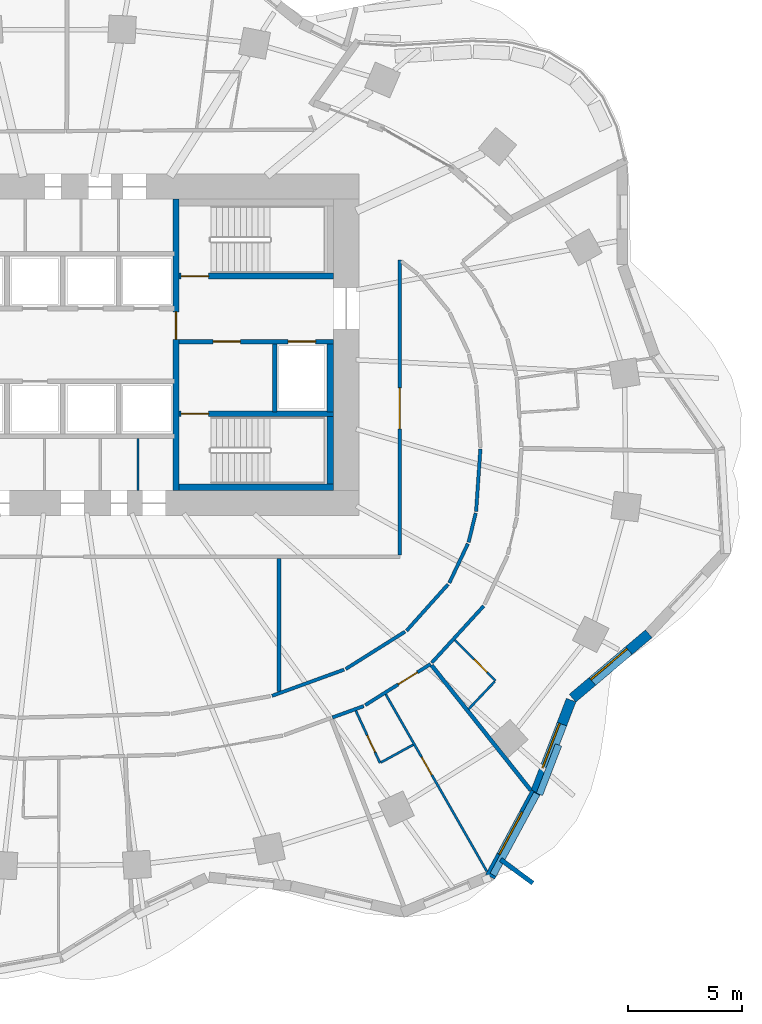
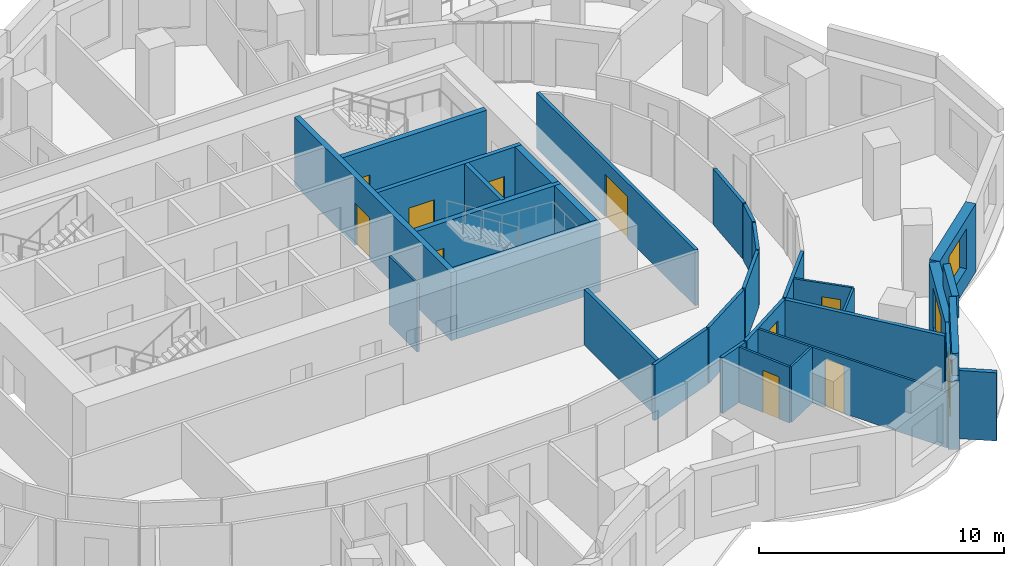
# One storey, part 8 of 14: 32 walls, 10 doors, 3 windows, 13 openings.
"""IFC4 building model written with IfcOpenShell, lengths in metres."""

from ifc_helpers import new_model, si_unit, direction, frame, frame_2d, origin, place, context, subcontext, project, spatial, rectangle, extrude, material, layer, layer_set, type_object, element, fill, save


model = new_model("IFC4")

# Units and contexts
model_context = context("Model", 3, precision=1e-05, world=origin(), true_north=direction((0.0, 1.0)))
body_context = subcontext(model_context, "Body", "Model", "MODEL_VIEW")
ifc_project = project(units=[si_unit("LENGTHUNIT", "METRE"), si_unit("AREAUNIT", "SQUARE_METRE"), si_unit("VOLUMEUNIT", "CUBIC_METRE"), si_unit("PLANEANGLEUNIT", "RADIAN"), si_unit("MASSUNIT", "GRAM", prefix="KILO")], contexts=[model_context])

# Site, building, storey
site_placement = place(None, origin())
site = spatial("IfcSite", under=ifc_project, at=site_placement, CompositionType="ELEMENT")
building_placement = place(site_placement, origin())
building = spatial("IfcBuilding", under=site, at=building_placement, Name="Rubra Terraces Tower", CompositionType="ELEMENT")
storey_placement = place(building_placement, frame((0.0, 0.0, 103.199951171875)))
storey = spatial("IfcBuildingStorey", under=building, at=storey_placement, Name="L24", CompositionType="ELEMENT", Elevation=103.199951171875)

# Walls
ifc_material_1 = material(Name="Twin plasterboard on staggered steel stud, acoustic mineral wool", Category="steel")
ifc_layer_1 = layer(ifc_material_1, 0.175048828125)
ifc_layer_set_1 = layer_set([ifc_layer_1], Name="Twin plasterboard on staggered steel stud, acoustic mineral wool")
wall_type_1 = type_object("IfcWallType", Name="ACOUSTIC PARTY WALL 175", PredefinedType="PARTITIONING", material=ifc_layer_set_1)
wall_1_placement = place(storey_placement, frame((20.552734375, -15.059326171875, 0.0), z_axis=(0.0, 0.0, 1.0), x_axis=(-0.621391021986, 0.783500604847, 0.0)))
element("IfcWall", 1, at=wall_1_placement, inside=storey, type_object=wall_type_1, Name="PARTITION", PredefinedType="PARTITIONING", context=body_context, shape_type="SweptSolid", body=[
    extrude(rectangle(XDim=7.00439453125, YDim=0.175048828125, at=frame_2d((3.502197265625, 0.0))), origin(), (0.0, 0.0, 1.0), 2.783935546875),
])
wall_2_placement = place(storey_placement, frame((9.5, -10.723388671875, 0.0), z_axis=(0.0, 0.0, 1.0), x_axis=(0.0, 1.0, 0.0)))
element("IfcWall", 2, at=wall_2_placement, inside=storey, type_object=wall_type_1, Name="PARTITION", PredefinedType="PARTITIONING", context=body_context, shape_type="SweptSolid", body=[
    extrude(rectangle(XDim=5.848388671875, YDim=0.175048828125, at=frame_2d((2.92431640625, 0.0))), origin(), (0.0, 0.0, 1.0), 2.783935546875),
])

# Wall, opening, window
ifc_material_2 = material(Name="Brick masonry red-brown", Category="masonry")
ifc_layer_2 = layer(ifc_material_2, 0.449951171875)
ifc_layer_set_2 = layer_set([ifc_layer_2], Name="Brick masonry red-brown")
wall_type_2 = type_object("IfcWallType", Name="Brick facade wall 450", PredefinedType="SOLIDWALL", material=ifc_layer_set_2)
wall_3_placement = place(storey_placement, frame((18.767333984375, -18.8544921875, 0.0), z_axis=(0.0, 0.0, 1.0), x_axis=(0.474475888716, 0.880268499395, 0.0)))
wall_3 = element("IfcWall", 3, at=wall_3_placement, inside=storey, type_object=wall_type_2, Name="Facade wall L24 bay 36", PredefinedType="SOLIDWALL", context=body_context, shape_type="SweptSolid", body=[
    extrude(rectangle(XDim=4.21923828125, YDim=0.449951171875, at=frame_2d((2.109619140625, 0.0))), origin(), (0.0, 0.0, 1.0), 3.400146484375),
])
opening_1_placement = place(wall_3_placement, frame((1.059814453125, 0.0, 0.89990234375)))
opening_1 = element("IfcOpeningElement", 4, at=opening_1_placement, cuts=wall_3, Name="Opening W1", PredefinedType="OPENING", context=body_context, shape_type="SweptSolid", body=[
    extrude(rectangle(XDim=2.10009765625, YDim=2.0, at=frame_2d((1.050048828125, 1.0))), frame((0.0, 0.23486328125, 0.0), z_axis=(0.0, -1.0, 0.0), x_axis=(1.0, 0.0, 0.0)), (0.0, 0.0, 1.0), 0.469970703125),
])
ifc_material_3 = material(Name="Clear glass in aluminium frame", Category="aluminium")
window_type = type_object("IfcWindowType", Name="Fixed deep-set window 2100 x 2000", PartitioningType="SINGLE_PANEL", PredefinedType="WINDOW", material=ifc_material_3)
window_1_placement = place(opening_1_placement, origin())
window_1 = element("IfcWindow", 5, at=window_1_placement, inside=storey, type_object=window_type, Name="Window L24 bay 36", OverallHeight=2.0, OverallWidth=2.10009765625, PartitioningType="SINGLE_PANEL", PredefinedType="WINDOW", context=body_context, shape_type="SweptSolid", body=[
    extrude(rectangle(XDim=2.10009765625, YDim=2.0, at=frame_2d((1.050048828125, 1.0))), frame((0.0, 0.135009765625, 0.0), z_axis=(0.0, -1.0, 0.0), x_axis=(1.0, 0.0, 0.0)), (0.0, 0.0, 1.0), 0.06005859375),
])
fill(opening_1, window_1)

wall_4_placement = place(storey_placement, frame((20.757080078125, -15.166015625, 0.0), z_axis=(0.0, 0.0, 1.0), x_axis=(0.360067043581, 0.932926430179, 0.0)))
wall_4 = element("IfcWall", 6, at=wall_4_placement, inside=storey, type_object=wall_type_2, Name="Facade wall L24 bay 37", PredefinedType="SOLIDWALL", context=body_context, shape_type="SweptSolid", body=[
    extrude(rectangle(XDim=4.35986328125, YDim=0.449951171875, at=frame_2d((2.179931640625, 0.0))), origin(), (0.0, 0.0, 1.0), 3.400146484375),
])
opening_2_placement = place(wall_4_placement, frame((1.1298828125, 0.0, 0.89990234375)))
opening_2 = element("IfcOpeningElement", 7, at=opening_2_placement, cuts=wall_4, Name="Opening W1", PredefinedType="OPENING", context=body_context, shape_type="SweptSolid", body=[
    extrude(rectangle(XDim=2.10009765625, YDim=2.0, at=frame_2d((1.050048828125, 1.0))), frame((0.0, 0.23486328125, 0.0), z_axis=(0.0, -1.0, 0.0), x_axis=(1.0, 0.0, 0.0)), (0.0, 0.0, 1.0), 0.469970703125),
])
window_2_placement = place(opening_2_placement, origin())
window_2 = element("IfcWindow", 8, at=window_2_placement, inside=storey, type_object=window_type, Name="Window L24 bay 37", OverallHeight=2.0, OverallWidth=2.10009765625, PartitioningType="SINGLE_PANEL", PredefinedType="WINDOW", context=body_context, shape_type="SweptSolid", body=[
    extrude(rectangle(XDim=2.10009765625, YDim=2.0, at=frame_2d((1.050048828125, 1.0))), frame((0.0, 0.135009765625, 0.0), z_axis=(0.0, -1.0, 0.0), x_axis=(1.0, 0.0, 0.0)), (0.0, 0.0, 1.0), 0.06005859375),
])
fill(opening_2, window_2)

wall_5_placement = place(storey_placement, frame((22.385986328125, -11.014404296875, 0.0), z_axis=(0.0, 0.0, 1.0), x_axis=(0.763569952162, 0.645725118108, 0.0)))
wall_5 = element("IfcWall", 9, at=wall_5_placement, inside=storey, type_object=wall_type_2, Name="Facade wall L24 bay 38", PredefinedType="SOLIDWALL", context=body_context, shape_type="SweptSolid", body=[
    extrude(rectangle(XDim=4.3857421875, YDim=0.449951171875, at=frame_2d((2.19287109375, 0.0))), origin(), (0.0, 0.0, 1.0), 3.400146484375),
])
opening_3_placement = place(wall_5_placement, frame((1.14306640625, 0.0, 0.89990234375)))
opening_3 = element("IfcOpeningElement", 10, at=opening_3_placement, cuts=wall_5, Name="Opening W1", PredefinedType="OPENING", context=body_context, shape_type="SweptSolid", body=[
    extrude(rectangle(XDim=2.10009765625, YDim=2.0, at=frame_2d((1.050048828125, 1.0))), frame((0.0, 0.23486328125, 0.0), z_axis=(0.0, -1.0, 0.0), x_axis=(1.0, 0.0, 0.0)), (0.0, 0.0, 1.0), 0.469970703125),
])
window_3_placement = place(opening_3_placement, origin())
window_3 = element("IfcWindow", 11, at=window_3_placement, inside=storey, type_object=window_type, Name="Window L24 bay 38", OverallHeight=2.0, OverallWidth=2.10009765625, PartitioningType="SINGLE_PANEL", PredefinedType="WINDOW", context=body_context, shape_type="SweptSolid", body=[
    extrude(rectangle(XDim=2.10009765625, YDim=2.0, at=frame_2d((1.050048828125, 1.0))), frame((0.0, 0.135009765625, 0.0), z_axis=(0.0, -1.0, 0.0), x_axis=(1.0, 0.0, 0.0)), (0.0, 0.0, 1.0), 0.06005859375),
])
fill(opening_3, window_3)

# Walls
ifc_layer_3 = layer(ifc_material_2, 0.300048828125)
ifc_layer_set_3 = layer_set([ifc_layer_3], Name="Brick masonry red-brown")
wall_type_3 = type_object("IfcWallType", Name="Brick parapet 300", PredefinedType="PARAPET", material=ifc_layer_set_3)
wall_6_placement = place(storey_placement, frame((18.896484375, -18.7734375, 3.60009765625), z_axis=(0.0, 0.0, 1.0), x_axis=(0.474444905835, 0.880285198857, 0.0)))
element("IfcWall", 12, at=wall_6_placement, inside=storey, type_object=wall_type_3, Name="Parapet L24 bay 36", PredefinedType="PARAPET", context=body_context, shape_type="SweptSolid", body=[
    extrude(rectangle(XDim=4.0498046875, YDim=0.300048828125, at=frame_2d((2.02490234375, 0.0))), origin(), (0.0, 0.0, 1.0), 1.099853515625),
])
wall_7_placement = place(storey_placement, frame((20.932861328125, -15.236572265625, 3.60009765625), z_axis=(0.0, 0.0, 1.0), x_axis=(0.360021038217, 0.932944184848, 0.0)))
element("IfcWall", 13, at=wall_7_placement, inside=storey, type_object=wall_type_3, Name="Parapet L24 bay 37", PredefinedType="PARAPET", context=body_context, shape_type="SweptSolid", body=[
    extrude(rectangle(XDim=2.3232421875, YDim=0.300048828125, at=frame_2d((1.16162109375, 0.0))), origin(), (0.0, 0.0, 1.0), 1.099853515625),
])
ifc_layer_4 = layer(ifc_material_2, 0.199951171875)
ifc_layer_set_4 = layer_set([ifc_layer_4], Name="Brick masonry red-brown")
wall_type_4 = type_object("IfcWallType", Name="Brick wind fin 200", PredefinedType="SOLIDWALL", material=ifc_layer_set_4)
wall_8_placement = place(storey_placement, frame((19.23095703125, -18.09912109375, 0.0), z_axis=(0.0, 0.0, 1.0), x_axis=(0.806085538754, -0.591799040394, 0.0)))
element("IfcWall", 14, at=wall_8_placement, inside=storey, type_object=wall_type_4, Name="Wind fin L24 17", PredefinedType="SOLIDWALL", context=body_context, shape_type="SweptSolid", body=[
    extrude(rectangle(XDim=1.75, YDim=0.199951171875, at=frame_2d((0.875, 0.0))), origin(), (0.0, 0.0, 1.0), 3.400146484375),
])
ifc_material_4 = material(Name="Plasterboard on steel stud, mineral wool infill", Category="steel")
ifc_layer_5 = layer(ifc_material_4, 0.14990234375)
ifc_layer_set_5 = layer_set([ifc_layer_5], Name="Plasterboard on steel stud, mineral wool infill")
wall_type_5 = type_object("IfcWallType", Name="CORRIDOR PARTITION 150", PredefinedType="PARTITIONING", material=ifc_layer_set_5)
wall_9_placement = place(storey_placement, frame((11.83935546875, -11.862060546875, 0.0), z_axis=(0.0, 0.0, 1.0), x_axis=(0.939613732968, 0.342236808099, 0.0)))
element("IfcWall", 15, at=wall_9_placement, inside=storey, type_object=wall_type_5, Name="PARTITION", PredefinedType="PARTITIONING", context=body_context, shape_type="SweptSolid", body=[
    extrude(rectangle(XDim=1.46875, YDim=0.14990234375, at=frame_2d((0.734375, 0.0))), origin(), (0.0, 0.0, 1.0), 2.783935546875),
])

# Wall, opening, door
wall_10_placement = place(storey_placement, frame((13.282958984375, -11.3193359375, 0.0), z_axis=(0.0, 0.0, 1.0), x_axis=(0.846324171878, 0.532668185736, 0.0)))
wall_10 = element("IfcWall", 16, at=wall_10_placement, inside=storey, type_object=wall_type_5, Name="PARTITION", PredefinedType="PARTITIONING", context=body_context, shape_type="SweptSolid", body=[
    extrude(rectangle(XDim=3.39208984375, YDim=0.14990234375, at=frame_2d((1.696044921875, 0.0))), origin(), (0.0, 0.0, 1.0), 2.783935546875),
])
opening_4_placement = place(wall_10_placement, frame((1.7060546875, 0.0, 0.0)))
opening_4 = element("IfcOpeningElement", 17, at=opening_4_placement, cuts=wall_10, Name="Opening 24-119", PredefinedType="OPENING", context=body_context, shape_type="SweptSolid", body=[
    extrude(rectangle(XDim=1.0, YDim=2.10009765625, at=frame_2d((0.5, 1.050048828125))), frame((0.0, 0.0849609375, 0.0), z_axis=(0.0, -1.0, 0.0), x_axis=(1.0, 0.0, 0.0)), (0.0, 0.0, 1.0), 0.169921875),
])
ifc_material_5 = material(Name="Painted timber door leaf", Category="wood")
door_type_1 = type_object("IfcDoorType", Name="ROOM DOOR 1000 X 2100", OperationType="SINGLE_SWING_LEFT", PredefinedType="DOOR", material=ifc_material_5)
door_1_placement = place(opening_4_placement, origin())
door_1 = element("IfcDoor", 18, at=door_1_placement, inside=storey, type_object=door_type_1, Name="DOOR 24-119", OperationType="SINGLE_SWING_RIGHT", OverallHeight=2.10009765625, OverallWidth=1.0, PredefinedType="DOOR", context=body_context, shape_type="SweptSolid", body=[
    extrude(rectangle(XDim=1.0, YDim=2.10009765625, at=frame_2d((0.5, 1.050048828125))), frame((0.0, 0.02490234375, 0.0), z_axis=(0.0, -1.0, 0.0), x_axis=(1.0, 0.0, 0.0)), (0.0, 0.0, 1.0), 0.050048828125),
])
fill(opening_4, door_1)

# Walls
wall_11_placement = place(storey_placement, frame((16.204345703125, -9.457275390625, 0.0), z_axis=(0.0, 0.0, 1.0), x_axis=(0.674966689319, 0.737848201401, 0.0)))
element("IfcWall", 19, at=wall_11_placement, inside=storey, type_object=wall_type_5, Name="PARTITION", PredefinedType="PARTITIONING", context=body_context, shape_type="SweptSolid", body=[
    extrude(rectangle(XDim=3.385498046875, YDim=0.14990234375, at=frame_2d((1.69287109375, 0.0))), origin(), (0.0, 0.0, 1.0), 2.783935546875),
])
wall_12_placement = place(storey_placement, frame((18.339599609375, -0.07470703125, 0.0), z_axis=(0.0, 0.0, 1.0), x_axis=(-0.068328193832, -0.997662897941, 0.0)))
element("IfcWall", 20, at=wall_12_placement, inside=storey, type_object=wall_type_5, Name="PARTITION", PredefinedType="PARTITIONING", context=body_context, shape_type="SweptSolid", body=[
    extrude(rectangle(XDim=2.740478515625, YDim=0.14990234375, at=frame_2d((1.3701171875, 0.0))), origin(), (0.0, 0.0, 1.0), 2.783935546875),
])
wall_13_placement = place(storey_placement, frame((18.134521484375, -2.8818359375, 0.0), z_axis=(0.0, 0.0, 1.0), x_axis=(-0.236653741324, -0.971594054489, 0.0)))
element("IfcWall", 21, at=wall_13_placement, inside=storey, type_object=wall_type_5, Name="PARTITION", PredefinedType="PARTITIONING", context=body_context, shape_type="SweptSolid", body=[
    extrude(rectangle(XDim=1.319580078125, YDim=0.14990234375, at=frame_2d((0.65966796875, 0.0))), origin(), (0.0, 0.0, 1.0), 2.783935546875),
])
wall_14_placement = place(storey_placement, frame((17.7900390625, -4.2314453125, 0.0), z_axis=(0.0, 0.0, 1.0), x_axis=(-0.428042272357, -0.90375871397, 0.0)))
element("IfcWall", 22, at=wall_14_placement, inside=storey, type_object=wall_type_5, Name="PARTITION", PredefinedType="PARTITIONING", context=body_context, shape_type="SweptSolid", body=[
    extrude(rectangle(XDim=1.905029296875, YDim=0.14990234375, at=frame_2d((0.95263671875, 0.0))), origin(), (0.0, 0.0, 1.0), 2.783935546875),
])
wall_15_placement = place(storey_placement, frame((16.924560546875, -6.009033203125, 0.0), z_axis=(0.0, 0.0, 1.0), x_axis=(-0.666893859891, -0.745152722359, 0.0)))
element("IfcWall", 23, at=wall_15_placement, inside=storey, type_object=wall_type_5, Name="PARTITION", PredefinedType="PARTITIONING", context=body_context, shape_type="SweptSolid", body=[
    extrude(rectangle(XDim=2.739013671875, YDim=0.14990234375, at=frame_2d((1.36962890625, 0.0))), origin(), (0.0, 0.0, 1.0), 2.783935546875),
])
wall_16_placement = place(storey_placement, frame((15.034423828125, -8.090087890625, 0.0), z_axis=(0.0, 0.0, 1.0), x_axis=(-0.846322679414, -0.532670557014, 0.0)))
element("IfcWall", 24, at=wall_16_placement, inside=storey, type_object=wall_type_5, Name="PARTITION", PredefinedType="PARTITIONING", context=body_context, shape_type="SweptSolid", body=[
    extrude(rectangle(XDim=3.08544921875, YDim=0.14990234375, at=frame_2d((1.542724609375, 0.0))), origin(), (0.0, 0.0, 1.0), 2.783935546875),
])
wall_17_placement = place(storey_placement, frame((12.3525390625, -9.759521484375, 0.0), z_axis=(0.0, 0.0, 1.0), x_axis=(-0.939632450309, -0.342185415127, 0.0)))
element("IfcWall", 25, at=wall_17_placement, inside=storey, type_object=wall_type_5, Name="PARTITION", PredefinedType="PARTITIONING", context=body_context, shape_type="SweptSolid", body=[
    extrude(rectangle(XDim=3.36767578125, YDim=0.14990234375, at=frame_2d((1.683837890625, 0.0))), origin(), (0.0, 0.0, 1.0), 2.783935546875),
])

# Wall, opening, door
wall_18_placement = place(storey_placement, frame((14.800048828125, -4.72509765625, 0.0), z_axis=(0.0, 0.0, 1.0), x_axis=(0.0, 1.0, 0.0)))
wall_18 = element("IfcWall", 26, at=wall_18_placement, inside=storey, type_object=wall_type_5, Name="PARTITION", PredefinedType="PARTITIONING", context=body_context, shape_type="SweptSolid", body=[
    extrude(rectangle(XDim=12.947998046875, YDim=0.14990234375, at=frame_2d((6.47412109375, 0.0))), origin(), (0.0, 0.0, 1.0), 2.783935546875),
])
opening_5_placement = place(wall_18_placement, frame((5.535888671875, 0.0, 0.0)))
opening_5 = element("IfcOpeningElement", 27, at=opening_5_placement, cuts=wall_18, Name="Opening 24-132", PredefinedType="OPENING", context=body_context, shape_type="SweptSolid", body=[
    extrude(rectangle(XDim=1.800048828125, YDim=2.10009765625, at=frame_2d((0.89990234375, 1.050048828125))), frame((0.0, 0.0849609375, 0.0), z_axis=(0.0, -1.0, 0.0), x_axis=(1.0, 0.0, 0.0)), (0.0, 0.0, 1.0), 0.169921875),
])
ifc_material_6 = material(Name="Painted timber door leaf, double", Category="wood")
door_type_2 = type_object("IfcDoorType", Name="ROOM DOUBLE DOOR 1800 X 2100", OperationType="DOUBLE_DOOR_SINGLE_SWING", PredefinedType="DOOR", material=ifc_material_6)
door_2_placement = place(opening_5_placement, origin())
door_2 = element("IfcDoor", 28, at=door_2_placement, inside=storey, type_object=door_type_2, Name="DOOR 24-132", OperationType="DOUBLE_DOOR_SINGLE_SWING", OverallHeight=2.10009765625, OverallWidth=1.800048828125, PredefinedType="DOOR", context=body_context, shape_type="SweptSolid", body=[
    extrude(rectangle(XDim=1.800048828125, YDim=2.10009765625, at=frame_2d((0.89990234375, 1.050048828125))), frame((0.0, 0.02490234375, 0.0), z_axis=(0.0, -1.0, 0.0), x_axis=(1.0, 0.0, 0.0)), (0.0, 0.0, 1.0), 0.050048828125),
])
fill(opening_5, door_2)

# Walls
ifc_material_7 = material(Name="Concrete C40", Category="concrete")
ifc_layer_6 = layer(ifc_material_7, 0.300048828125)
ifc_layer_set_6 = layer_set([ifc_layer_6], Name="Concrete C40")
wall_type_6 = type_object("IfcWallType", Name="Core lining wall 300 concrete", PredefinedType="SOLIDWALL", material=ifc_layer_set_6)
wall_19_placement = place(storey_placement, frame((11.75, 4.550048828125, 0.0), z_axis=(0.0, 0.0, 1.0), x_axis=(0.0, -1.0, 0.0)))
element("IfcWall", 29, at=wall_19_placement, inside=storey, type_object=wall_type_6, Name="CORE LINING WALL L24", PredefinedType="SOLIDWALL", context=body_context, shape_type="SweptSolid", body=[
    extrude(rectangle(XDim=3.0, YDim=0.300048828125, at=frame_2d((1.5, 0.0))), origin(), (0.0, 0.0, 1.0), 3.400146484375),
])
wall_20_placement = place(storey_placement, frame((11.75, 1.35009765625, 0.0), z_axis=(0.0, 0.0, 1.0), x_axis=(0.0, -1.0, 0.0)))
element("IfcWall", 30, at=wall_20_placement, inside=storey, type_object=wall_type_6, Name="CORE LINING WALL L24", PredefinedType="SOLIDWALL", context=body_context, shape_type="SweptSolid", body=[
    extrude(rectangle(XDim=2.9501953125, YDim=0.300048828125, at=frame_2d((1.47509765625, 0.0))), origin(), (0.0, 0.0, 1.0), 3.400146484375),
])
wall_21_placement = place(storey_placement, frame((11.89990234375, -1.75, 0.0), z_axis=(0.0, 0.0, 1.0), x_axis=(-1.0, 0.0, 0.0)))
element("IfcWall", 31, at=wall_21_placement, inside=storey, type_object=wall_type_6, Name="CORE LINING WALL L24", PredefinedType="SOLIDWALL", context=body_context, shape_type="SweptSolid", body=[
    extrude(rectangle(XDim=6.7998046875, YDim=0.300048828125, at=frame_2d((3.39990234375, 0.0))), origin(), (0.0, 0.0, 1.0), 3.400146484375),
])

# Wall, openings, doors
ifc_material_8 = material(Name="Concrete C30", Category="concrete")
ifc_layer_7 = layer(ifc_material_8, 0.199951171875)
ifc_layer_set_7 = layer_set([ifc_layer_7], Name="Concrete C30")
wall_type_7 = type_object("IfcWallType", Name="Core wall 200 concrete", PredefinedType="SOLIDWALL", material=ifc_layer_set_7)
wall_22_placement = place(storey_placement, frame((11.89990234375, 4.64990234375, 0.0), z_axis=(0.0, 0.0, 1.0), x_axis=(-1.0, 0.0, 0.0)))
wall_22 = element("IfcWall", 32, at=wall_22_placement, inside=storey, type_object=wall_type_7, Name="STAIR WALL L24", PredefinedType="SOLIDWALL", context=body_context, shape_type="SweptSolid", body=[
    extrude(rectangle(XDim=6.7998046875, YDim=0.199951171875, at=frame_2d((3.39990234375, 0.0))), origin(), (0.0, 0.0, 1.0), 3.400146484375),
])
opening_6_placement = place(wall_22_placement, frame((4.10009765625, 0.0, 0.0)))
opening_6 = element("IfcOpeningElement", 33, at=opening_6_placement, cuts=wall_22, Name="Opening L24.C06", PredefinedType="OPENING", context=body_context, shape_type="SweptSolid", body=[
    extrude(rectangle(XDim=1.199951171875, YDim=2.10009765625, at=frame_2d((0.60009765625, 1.050048828125))), frame((0.0, 0.10986328125, 0.0), z_axis=(0.0, -1.0, 0.0), x_axis=(1.0, 0.0, 0.0)), (0.0, 0.0, 1.0), 0.219970703125),
])
opening_7_placement = place(wall_22_placement, frame((0.800048828125, 0.0, 0.0)))
opening_7 = element("IfcOpeningElement", 34, at=opening_7_placement, cuts=wall_22, Name="Opening L24.C12", PredefinedType="OPENING", context=body_context, shape_type="SweptSolid", body=[
    extrude(rectangle(XDim=1.199951171875, YDim=2.10009765625, at=frame_2d((0.60009765625, 1.050048828125))), frame((0.0, 0.10986328125, 0.0), z_axis=(0.0, -1.0, 0.0), x_axis=(1.0, 0.0, 0.0)), (0.0, 0.0, 1.0), 0.219970703125),
])
ifc_material_9 = material(Name="Painted steel", Category="steel")
door_type_3 = type_object("IfcDoorType", Name="Fire door 1200x2100 single", OperationType="NOTDEFINED", PredefinedType="DOOR", material=ifc_material_9)
door_3_placement = place(opening_6_placement, origin())
door_3 = element("IfcDoor", 35, at=door_3_placement, inside=storey, type_object=door_type_3, Name="Stair vestibule door S4", OperationType="SINGLE_SWING_RIGHT", OverallHeight=2.10009765625, OverallWidth=1.199951171875, PredefinedType="DOOR", context=body_context, shape_type="SweptSolid", body=[
    extrude(rectangle(XDim=1.199951171875, YDim=2.10009765625, at=frame_2d((0.60009765625, 1.050048828125))), frame((0.0, 0.02490234375, 0.0), z_axis=(0.0, -1.0, 0.0), x_axis=(1.0, 0.0, 0.0)), (0.0, 0.0, 1.0), 0.050048828125),
])
fill(opening_6, door_3)
ifc_material_10 = material(Name="Stainless steel", Category="steel")
door_type_4 = type_object("IfcDoorType", Name="Lift landing door 1200x2100", OperationType="NOTDEFINED", PredefinedType="DOOR", material=ifc_material_10)
door_4_placement = place(opening_7_placement, origin())
door_4 = element("IfcDoor", 36, at=door_4_placement, inside=storey, type_object=door_type_4, Name="Landing door FF2", OperationType="SLIDING_TO_RIGHT", OverallHeight=2.10009765625, OverallWidth=1.199951171875, PredefinedType="DOOR", context=body_context, shape_type="SweptSolid", body=[
    extrude(rectangle(XDim=1.199951171875, YDim=2.10009765625, at=frame_2d((0.60009765625, 1.050048828125))), frame((0.0, 0.02490234375, 0.0), z_axis=(0.0, -1.0, 0.0), x_axis=(1.0, 0.0, 0.0)), (0.0, 0.0, 1.0), 0.050048828125),
])
fill(opening_7, door_4)

# Wall
wall_23_placement = place(storey_placement, frame((9.300048828125, 4.550048828125, 0.0), z_axis=(0.0, 0.0, 1.0), x_axis=(0.0, -1.0, 0.0)))
element("IfcWall", 37, at=wall_23_placement, inside=storey, type_object=wall_type_7, Name="STAIR WALL L24", PredefinedType="SOLIDWALL", context=body_context, shape_type="SweptSolid", body=[
    extrude(rectangle(XDim=3.0, YDim=0.199951171875, at=frame_2d((1.5, 0.0))), origin(), (0.0, 0.0, 1.0), 3.400146484375),
])

# Wall, opening, door
ifc_material_11 = material(Name="Plasterboard on steel stud", Category="steel")
ifc_layer_8 = layer(ifc_material_11, 0.10009765625)
ifc_layer_set_8 = layer_set([ifc_layer_8], Name="Plasterboard on steel stud")
wall_type_8 = type_object("IfcWallType", Name="ROOM PARTITION 100", PredefinedType="PARTITIONING", material=ifc_layer_set_8)
wall_24_placement = place(storey_placement, frame((18.622314453125, -18.615478515625, 0.0), z_axis=(0.0, 0.0, 1.0), x_axis=(-0.495924530613, 0.868365625723, 0.0)))
wall_24 = element("IfcWall", 38, at=wall_24_placement, inside=storey, type_object=wall_type_8, Name="PARTITION", PredefinedType="PARTITIONING", context=body_context, shape_type="SweptSolid", body=[
    extrude(rectangle(XDim=8.952392578125, YDim=0.10009765625, at=frame_2d((4.47607421875, 0.0))), origin(), (0.0, 0.0, 1.0), 2.783935546875),
])
opening_8_placement = place(wall_24_placement, frame((4.876953125, 0.0, 0.0)))
opening_8 = element("IfcOpeningElement", 39, at=opening_8_placement, cuts=wall_24, Name="Opening 24-118", PredefinedType="OPENING", context=body_context, shape_type="SweptSolid", body=[
    extrude(rectangle(XDim=0.89990234375, YDim=2.39990234375, at=frame_2d((0.449951171875, 1.199951171875))), frame((0.0, 0.06005859375, 0.0), z_axis=(0.0, -1.0, 0.0), x_axis=(1.0, 0.0, 0.0)), (0.0, 0.0, 1.0), 0.1201171875),
])
ifc_material_12 = material(Name="Veneered timber door leaf, fire-rated", Category="wood")
door_type_5 = type_object("IfcDoorType", Name="SUITE ENTRANCE DOOR 900 X 2400", OperationType="SINGLE_SWING_LEFT", PredefinedType="DOOR", material=ifc_material_12)
door_5_placement = place(opening_8_placement, origin())
door_5 = element("IfcDoor", 40, at=door_5_placement, inside=storey, type_object=door_type_5, Name="DOOR 24-118", OperationType="SINGLE_SWING_LEFT", OverallHeight=2.39990234375, OverallWidth=0.89990234375, PredefinedType="DOOR", context=body_context, shape_type="SweptSolid", body=[
    extrude(rectangle(XDim=0.89990234375, YDim=2.39990234375, at=frame_2d((0.449951171875, 1.199951171875))), frame((0.0, 0.02490234375, 0.0), z_axis=(0.0, -1.0, 0.0), x_axis=(1.0, 0.0, 0.0)), (0.0, 0.0, 1.0), 0.050048828125),
])
fill(opening_8, door_5)

wall_25_placement = place(storey_placement, frame((12.86962890625, -11.566162109375, 0.0), z_axis=(0.0, 0.0, 1.0), x_axis=(0.42076187936, -0.907171119953, 0.0)))
wall_25 = element("IfcWall", 41, at=wall_25_placement, inside=storey, type_object=wall_type_8, Name="PARTITION", PredefinedType="PARTITIONING", context=body_context, shape_type="SweptSolid", body=[
    extrude(rectangle(XDim=2.525146484375, YDim=0.10009765625, at=frame_2d((1.2626953125, 0.0))), origin(), (0.0, 0.0, 1.0), 2.783935546875),
])
opening_9_placement = place(wall_25_placement, frame((1.199951171875, 0.0, 0.0)))
opening_9 = element("IfcOpeningElement", 42, at=opening_9_placement, cuts=wall_25, Name="Opening 24-117", PredefinedType="OPENING", context=body_context, shape_type="SweptSolid", body=[
    extrude(rectangle(XDim=0.800048828125, YDim=2.10009765625, at=frame_2d((0.39990234375, 1.050048828125))), frame((0.0, 0.06005859375, 0.0), z_axis=(0.0, -1.0, 0.0), x_axis=(1.0, 0.0, 0.0)), (0.0, 0.0, 1.0), 0.1201171875),
])
door_type_6 = type_object("IfcDoorType", Name="BATHROOM DOOR 800 X 2100", OperationType="SINGLE_SWING_LEFT", PredefinedType="DOOR", material=ifc_material_5)
door_6_placement = place(opening_9_placement, origin())
door_6 = element("IfcDoor", 43, at=door_6_placement, inside=storey, type_object=door_type_6, Name="DOOR 24-117", OperationType="SINGLE_SWING_LEFT", OverallHeight=2.10009765625, OverallWidth=0.800048828125, PredefinedType="DOOR", context=body_context, shape_type="SweptSolid", body=[
    extrude(rectangle(XDim=0.800048828125, YDim=2.10009765625, at=frame_2d((0.39990234375, 1.050048828125))), frame((0.0, 0.02490234375, 0.0), z_axis=(0.0, -1.0, 0.0), x_axis=(1.0, 0.0, 0.0)), (0.0, 0.0, 1.0), 0.050048828125),
])
fill(opening_9, door_6)

# Wall
wall_26_placement = place(storey_placement, frame((13.97607421875, -13.8330078125, 0.0), z_axis=(0.0, 0.0, 1.0), x_axis=(0.877160016476, 0.480198193975, 0.0)))
element("IfcWall", 44, at=wall_26_placement, inside=storey, type_object=wall_type_8, Name="PARTITION", PredefinedType="PARTITIONING", context=body_context, shape_type="SweptSolid", body=[
    extrude(rectangle(XDim=1.61328125, YDim=0.10009765625, at=frame_2d((0.806640625, 0.0))), origin(), (0.0, 0.0, 1.0), 2.783935546875),
])

# Wall, opening, door
wall_27_placement = place(storey_placement, frame((17.21923828125, -8.458984375, 0.0), z_axis=(0.0, 0.0, 1.0), x_axis=(0.706526392877, -0.707686693508, 0.0)))
wall_27 = element("IfcWall", 45, at=wall_27_placement, inside=storey, type_object=wall_type_8, Name="PARTITION", PredefinedType="PARTITIONING", context=body_context, shape_type="SweptSolid", body=[
    extrude(rectangle(XDim=2.52490234375, YDim=0.10009765625, at=frame_2d((1.262451171875, 0.0))), origin(), (0.0, 0.0, 1.0), 2.783935546875),
])
opening_10_placement = place(wall_27_placement, frame((1.199951171875, 0.0, 0.0)))
opening_10 = element("IfcOpeningElement", 46, at=opening_10_placement, cuts=wall_27, Name="Opening 24-120", PredefinedType="OPENING", context=body_context, shape_type="SweptSolid", body=[
    extrude(rectangle(XDim=0.800048828125, YDim=2.10009765625, at=frame_2d((0.39990234375, 1.050048828125))), frame((0.0, 0.06005859375, 0.0), z_axis=(0.0, -1.0, 0.0), x_axis=(1.0, 0.0, 0.0)), (0.0, 0.0, 1.0), 0.1201171875),
])
door_7_placement = place(opening_10_placement, origin())
door_7 = element("IfcDoor", 47, at=door_7_placement, inside=storey, type_object=door_type_6, Name="DOOR 24-120", OperationType="SINGLE_SWING_LEFT", OverallHeight=2.10009765625, OverallWidth=0.800048828125, PredefinedType="DOOR", context=body_context, shape_type="SweptSolid", body=[
    extrude(rectangle(XDim=0.800048828125, YDim=2.10009765625, at=frame_2d((0.39990234375, 1.050048828125))), frame((0.0, 0.02490234375, 0.0), z_axis=(0.0, -1.0, 0.0), x_axis=(1.0, 0.0, 0.0)), (0.0, 0.0, 1.0), 0.050048828125),
])
fill(opening_10, door_7)

# Walls
wall_28_placement = place(storey_placement, frame((18.96875, -10.281982421875, 0.0), z_axis=(0.0, 0.0, 1.0), x_axis=(-0.687322860116, -0.726352039965, 0.0)))
element("IfcWall", 48, at=wall_28_placement, inside=storey, type_object=wall_type_8, Name="PARTITION", PredefinedType="PARTITIONING", context=body_context, shape_type="SweptSolid", body=[
    extrude(rectangle(XDim=1.670166015625, YDim=0.10009765625, at=frame_2d((0.8349609375, 0.0))), origin(), (0.0, 0.0, 1.0), 2.783935546875),
])
ifc_material_13 = material(Name="Blockwork", Category="masonry")
ifc_layer_9 = layer(ifc_material_13, 0.10009765625)
ifc_layer_set_9 = layer_set([ifc_layer_9], Name="Blockwork")
wall_type_9 = type_object("IfcWallType", Name="Service partition 100 blockwork", PredefinedType="PARTITIONING", material=ifc_layer_set_9)
wall_29_placement = place(storey_placement, frame((3.300048828125, -1.89990234375, 0.0), z_axis=(0.0, 0.0, 1.0), x_axis=(0.0, 1.0, 0.0)))
element("IfcWall", 49, at=wall_29_placement, inside=storey, type_object=wall_type_9, Name="SERVICE ROOM PARTITION L24", PredefinedType="PARTITIONING", context=body_context, shape_type="SweptSolid", body=[
    extrude(rectangle(XDim=2.2998046875, YDim=0.10009765625, at=frame_2d((1.14990234375, 0.0))), origin(), (0.0, 0.0, 1.0), 3.400146484375),
])

# Wall, opening, door
ifc_layer_10 = layer(ifc_material_7, 0.25)
ifc_layer_set_10 = layer_set([ifc_layer_10], Name="Concrete C40")
wall_type_10 = type_object("IfcWallType", Name="Stair enclosure wall 250 concrete", PredefinedType="SOLIDWALL", material=ifc_layer_set_10)
wall_30_placement = place(storey_placement, frame((11.89990234375, 7.52490234375, 0.0), z_axis=(0.0, 0.0, 1.0), x_axis=(-1.0, 0.0, 0.0)))
wall_30 = element("IfcWall", 50, at=wall_30_placement, inside=storey, type_object=wall_type_10, Name="STAIR WALL L24", PredefinedType="SOLIDWALL", context=body_context, shape_type="SweptSolid", body=[
    extrude(rectangle(XDim=6.7998046875, YDim=0.25, at=frame_2d((3.39990234375, 0.0))), origin(), (0.0, 0.0, 1.0), 3.400146484375),
])
opening_11_placement = place(wall_30_placement, frame((5.5, 0.0, 0.0)))
opening_11 = element("IfcOpeningElement", 51, at=opening_11_placement, cuts=wall_30, Name="Opening L24.C08", PredefinedType="OPENING", context=body_context, shape_type="SweptSolid", body=[
    extrude(rectangle(XDim=1.199951171875, YDim=2.10009765625, at=frame_2d((0.60009765625, 1.050048828125))), frame((0.0, 0.135009765625, 0.0), z_axis=(0.0, -1.0, 0.0), x_axis=(1.0, 0.0, 0.0)), (0.0, 0.0, 1.0), 0.27001953125),
])
door_8_placement = place(opening_11_placement, origin())
door_8 = element("IfcDoor", 52, at=door_8_placement, inside=storey, type_object=door_type_3, Name="Stair door S3", OperationType="SINGLE_SWING_RIGHT", OverallHeight=2.10009765625, OverallWidth=1.199951171875, PredefinedType="DOOR", context=body_context, shape_type="SweptSolid", body=[
    extrude(rectangle(XDim=1.199951171875, YDim=2.10009765625, at=frame_2d((0.60009765625, 1.050048828125))), frame((0.0, 0.02490234375, 0.0), z_axis=(0.0, -1.0, 0.0), x_axis=(1.0, 0.0, 0.0)), (0.0, 0.0, 1.0), 0.050048828125),
])
fill(opening_11, door_8)

wall_31_placement = place(storey_placement, frame((11.89990234375, 1.47509765625, 0.0), z_axis=(0.0, 0.0, 1.0), x_axis=(-1.0, 0.0, 0.0)))
wall_31 = element("IfcWall", 53, at=wall_31_placement, inside=storey, type_object=wall_type_10, Name="STAIR WALL L24", PredefinedType="SOLIDWALL", context=body_context, shape_type="SweptSolid", body=[
    extrude(rectangle(XDim=6.7998046875, YDim=0.25, at=frame_2d((3.39990234375, 0.0))), origin(), (0.0, 0.0, 1.0), 3.400146484375),
])
opening_12_placement = place(wall_31_placement, frame((5.5, 0.0, 0.0)))
opening_12 = element("IfcOpeningElement", 54, at=opening_12_placement, cuts=wall_31, Name="Opening L24.C10", PredefinedType="OPENING", context=body_context, shape_type="SweptSolid", body=[
    extrude(rectangle(XDim=1.199951171875, YDim=2.10009765625, at=frame_2d((0.60009765625, 1.050048828125))), frame((0.0, 0.135009765625, 0.0), z_axis=(0.0, -1.0, 0.0), x_axis=(1.0, 0.0, 0.0)), (0.0, 0.0, 1.0), 0.27001953125),
])
door_9_placement = place(opening_12_placement, origin())
door_9 = element("IfcDoor", 55, at=door_9_placement, inside=storey, type_object=door_type_3, Name="Stair door S4", OperationType="SINGLE_SWING_RIGHT", OverallHeight=2.10009765625, OverallWidth=1.199951171875, PredefinedType="DOOR", context=body_context, shape_type="SweptSolid", body=[
    extrude(rectangle(XDim=1.199951171875, YDim=2.10009765625, at=frame_2d((0.60009765625, 1.050048828125))), frame((0.0, 0.02490234375, 0.0), z_axis=(0.0, -1.0, 0.0), x_axis=(1.0, 0.0, 0.0)), (0.0, 0.0, 1.0), 0.050048828125),
])
fill(opening_12, door_9)

wall_32_placement = place(storey_placement, frame((4.97509765625, 10.89990234375, 0.0), z_axis=(0.0, 0.0, 1.0), x_axis=(0.0, -1.0, 0.0)))
wall_32 = element("IfcWall", 56, at=wall_32_placement, inside=storey, type_object=wall_type_10, Name="CORE LOBBY WALL L24", PredefinedType="SOLIDWALL", context=body_context, shape_type="SweptSolid", body=[
    extrude(rectangle(XDim=12.7998046875, YDim=0.25, at=frame_2d((6.39990234375, 0.0))), origin(), (0.0, 0.0, 1.0), 3.400146484375),
])
opening_13_placement = place(wall_32_placement, frame((4.949951171875, 0.0, 0.0)))
opening_13 = element("IfcOpeningElement", 57, at=opening_13_placement, cuts=wall_32, Name="Opening L24.C04", PredefinedType="OPENING", context=body_context, shape_type="SweptSolid", body=[
    extrude(rectangle(XDim=1.199951171875, YDim=2.10009765625, at=frame_2d((0.60009765625, 1.050048828125))), frame((0.0, 0.135009765625, 0.0), z_axis=(0.0, -1.0, 0.0), x_axis=(1.0, 0.0, 0.0)), (0.0, 0.0, 1.0), 0.27001953125),
])
door_10_placement = place(opening_13_placement, origin())
door_10 = element("IfcDoor", 58, at=door_10_placement, inside=storey, type_object=door_type_3, Name="Firefighting lobby door FF2", OperationType="SINGLE_SWING_RIGHT", OverallHeight=2.10009765625, OverallWidth=1.199951171875, PredefinedType="DOOR", context=body_context, shape_type="SweptSolid", body=[
    extrude(rectangle(XDim=1.199951171875, YDim=2.10009765625, at=frame_2d((0.60009765625, 1.050048828125))), frame((0.0, 0.02490234375, 0.0), z_axis=(0.0, -1.0, 0.0), x_axis=(1.0, 0.0, 0.0)), (0.0, 0.0, 1.0), 0.050048828125),
])
fill(opening_13, door_10)

save(model, "model.ifc")
